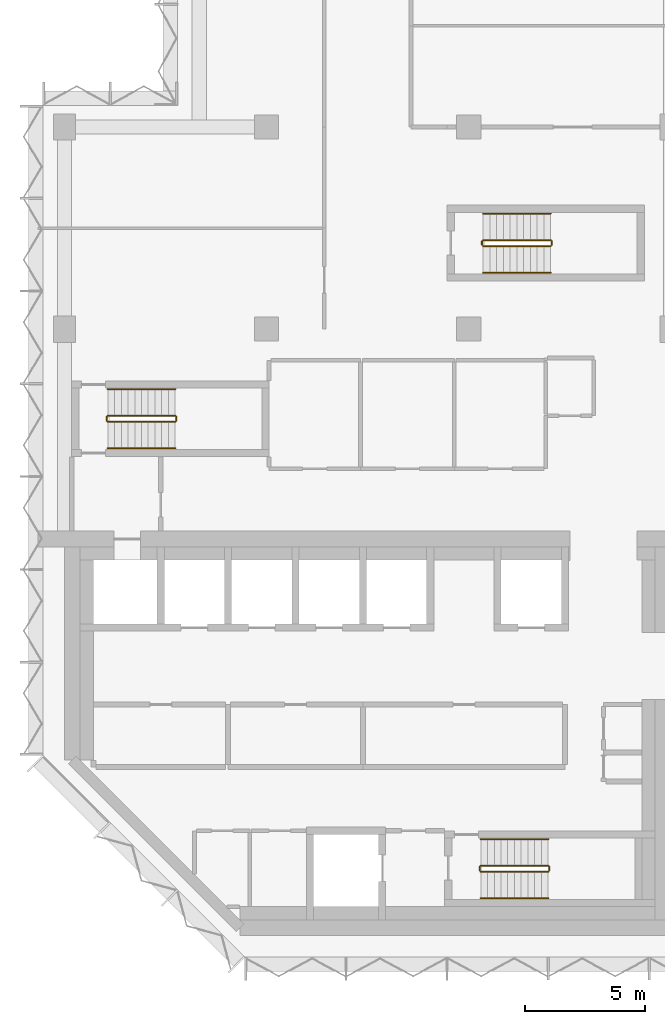
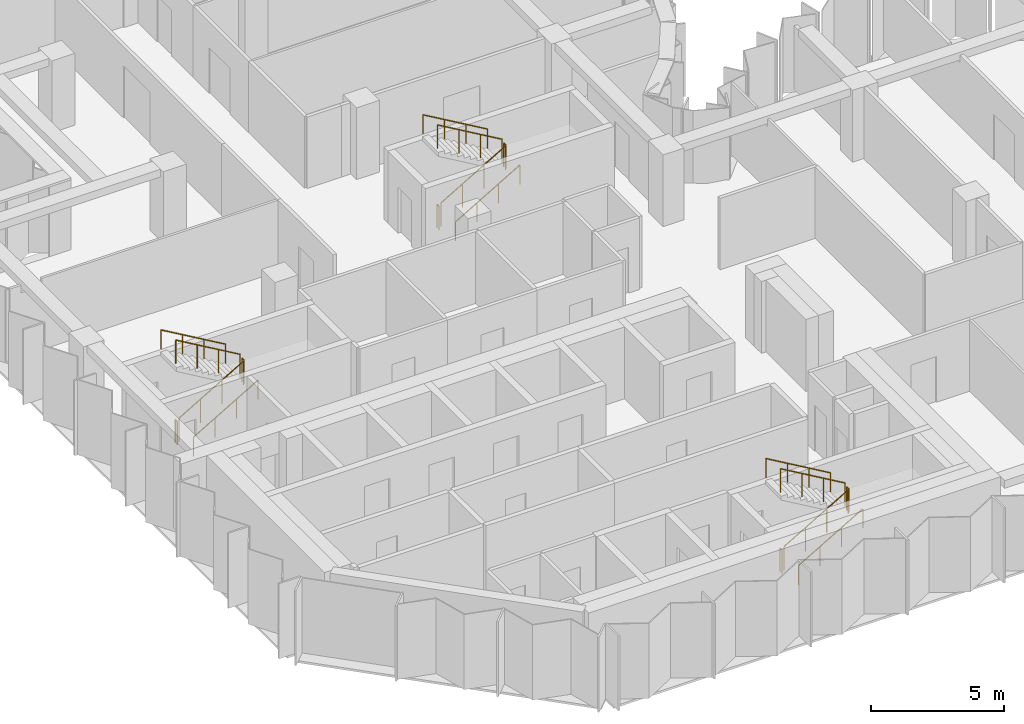
# One storey, part 9 of 10: 18 railings.
"""IFC4 building model written with IfcOpenShell, lengths in metres."""

from ifc_helpers import new_model, si_unit, direction, frame, origin, origin_2d, place, context, subcontext, project, spatial, circle, extrude, material, type_object, element, save


model = new_model("IFC4")

# Units and contexts
model_context = context("Model", 3, precision=1e-05, world=origin(), true_north=direction((0.0, 1.0)))
body_context = subcontext(model_context, "Body", "Model", "MODEL_VIEW")
ifc_project = project(units=[si_unit("LENGTHUNIT", "METRE"), si_unit("AREAUNIT", "SQUARE_METRE"), si_unit("VOLUMEUNIT", "CUBIC_METRE"), si_unit("PLANEANGLEUNIT", "RADIAN"), si_unit("MASSUNIT", "GRAM", prefix="KILO")], contexts=[model_context])

# Site, building, storey
site_placement = place(None, origin())
site = spatial("IfcSite", under=ifc_project, at=site_placement, CompositionType="ELEMENT")
building_placement = place(site_placement, origin())
building = spatial("IfcBuilding", under=site, at=building_placement, Name="Brevane Broadcast Tower", CompositionType="ELEMENT")
storey_placement = place(building_placement, frame((0.0, 0.0, 202.800048828125)))
storey = spatial("IfcBuildingStorey", under=building, at=storey_placement, Name="L51", CompositionType="ELEMENT", Elevation=202.800048828125)

# Railings
ifc_material = material(Name="Steel S355", Category="steel")
railing_type_1 = type_object("IfcRailingType", Name="Exit stair guard", PredefinedType="GUARDRAIL", material=ifc_material)
railing_1_placement = place(storey_placement, frame((1.800048828125, 21.35009765625, 0.16357421875)))
element("IfcRailing", 1, at=railing_1_placement, inside=storey, type_object=railing_type_1, Name="L51 ST-1 stair guard 1", PredefinedType="GUARDRAIL", context=body_context, shape_type="SweptSolid", body=[
    extrude(circle(Radius=0.02392578125, at=origin_2d()), frame((0.0, 0.0, 1.076171875), z_axis=(0.863360870873, 0.0, 0.504586966384), x_axis=(0.0, 1.0, 0.0)), (0.0, 0.0, 1.0), 3.2431640625),
    extrude(circle(Radius=0.02099609375, at=origin_2d()), origin(), (0.0, 0.0, 1.0), 1.052001953125),
    extrude(circle(Radius=0.02099609375, at=origin_2d()), frame((0.933349609375, 0.0, 0.54541015625)), (0.0, 0.0, 1.0), 1.052001953125),
    extrude(circle(Radius=0.02099609375, at=origin_2d()), frame((1.86669921875, 0.0, 1.091064453125)), (0.0, 0.0, 1.0), 1.052001953125),
    extrude(circle(Radius=0.02099609375, at=origin_2d()), frame((2.800048828125, 0.0, 1.636474609375)), (0.0, 0.0, 1.0), 1.052001953125),
])
railing_2_placement = place(storey_placement, frame((4.64990234375, 21.39990234375, 1.800048828125)))
element("IfcRailing", 2, at=railing_2_placement, inside=storey, type_object=railing_type_1, Name="L51 ST-1 stair guard 2", PredefinedType="GUARDRAIL", context=body_context, shape_type="SweptSolid", body=[
    extrude(circle(Radius=0.02392578125, at=origin_2d()), frame((0.0, 0.0, 1.076171875), z_axis=(0.0, 1.0, 0.0), x_axis=(-1.0, 0.0, 0.0)), (0.0, 0.0, 1.0), 0.150146484375),
    extrude(circle(Radius=0.02099609375, at=origin_2d()), origin(), (0.0, 0.0, 1.0), 1.052001953125),
    extrude(circle(Radius=0.02099609375, at=origin_2d()), frame((0.0, 0.150146484375, 0.0)), (0.0, 0.0, 1.0), 1.052001953125),
])
railing_3_placement = place(storey_placement, frame((4.60009765625, 21.60009765625, 1.963623046875)))
element("IfcRailing", 3, at=railing_3_placement, inside=storey, type_object=railing_type_1, Name="L51 ST-1 stair guard 3", PredefinedType="GUARDRAIL", context=body_context, shape_type="SweptSolid", body=[
    extrude(circle(Radius=0.02392578125, at=origin_2d()), frame((0.0, 0.0, 1.076171875), z_axis=(-0.863393664356, 0.0, 0.504530851732), x_axis=(0.0, -1.0, 0.0)), (0.0, 0.0, 1.0), 3.2431640625),
    extrude(circle(Radius=0.02099609375, at=origin_2d()), origin(), (0.0, 0.0, 1.0), 1.052001953125),
    extrude(circle(Radius=0.02099609375, at=origin_2d()), frame((-0.933349609375, 0.0, 0.54541015625)), (0.0, 0.0, 1.0), 1.052001953125),
    extrude(circle(Radius=0.02099609375, at=origin_2d()), frame((-1.86669921875, 0.0, 1.0908203125)), (0.0, 0.0, 1.0), 1.052001953125),
    extrude(circle(Radius=0.02099609375, at=origin_2d()), frame((-2.800048828125, 0.0, 1.63623046875)), (0.0, 0.0, 1.0), 1.052001953125),
])
railing_4_placement = place(storey_placement, frame((1.75, 21.39990234375, 0.0)))
element("IfcRailing", 4, at=railing_4_placement, inside=storey, type_object=railing_type_1, Name="L51 ST-1 stair guard 4", PredefinedType="GUARDRAIL", context=body_context, shape_type="SweptSolid", body=[
    extrude(circle(Radius=0.02392578125, at=origin_2d()), frame((0.0, 0.0, 1.076171875), z_axis=(0.0, 1.0, 0.0), x_axis=(-1.0, 0.0, 0.0)), (0.0, 0.0, 1.0), 0.150146484375),
    extrude(circle(Radius=0.02099609375, at=origin_2d()), origin(), (0.0, 0.0, 1.0), 1.052001953125),
    extrude(circle(Radius=0.02099609375, at=origin_2d()), frame((0.0, 0.150146484375, 0.0)), (0.0, 0.0, 1.0), 1.052001953125),
])
railing_5_placement = place(storey_placement, frame((17.300048828125, 2.64990234375, 0.16357421875)))
element("IfcRailing", 5, at=railing_5_placement, inside=storey, type_object=railing_type_1, Name="L51 ST-2 stair guard 1", PredefinedType="GUARDRAIL", context=body_context, shape_type="SweptSolid", body=[
    extrude(circle(Radius=0.02392578125, at=origin_2d()), frame((0.0, 0.0, 1.076171875), z_axis=(0.863360870873, 0.0, 0.504586966384), x_axis=(0.0, 1.0, 0.0)), (0.0, 0.0, 1.0), 3.2431640625),
    extrude(circle(Radius=0.02099609375, at=origin_2d()), origin(), (0.0, 0.0, 1.0), 1.052001953125),
    extrude(circle(Radius=0.02099609375, at=origin_2d()), frame((0.933349609375, 0.0, 0.54541015625)), (0.0, 0.0, 1.0), 1.052001953125),
    extrude(circle(Radius=0.02099609375, at=origin_2d()), frame((1.86669921875, 0.0, 1.091064453125)), (0.0, 0.0, 1.0), 1.052001953125),
    extrude(circle(Radius=0.02099609375, at=origin_2d()), frame((2.800048828125, 0.0, 1.636474609375)), (0.0, 0.0, 1.0), 1.052001953125),
])
railing_6_placement = place(storey_placement, frame((20.14990234375, 2.699951171875, 1.800048828125)))
element("IfcRailing", 6, at=railing_6_placement, inside=storey, type_object=railing_type_1, Name="L51 ST-2 stair guard 2", PredefinedType="GUARDRAIL", context=body_context, shape_type="SweptSolid", body=[
    extrude(circle(Radius=0.02392578125, at=origin_2d()), frame((0.0, 0.0, 1.076171875), z_axis=(0.0, 1.0, 0.0), x_axis=(-1.0, 0.0, 0.0)), (0.0, 0.0, 1.0), 0.150146484375),
    extrude(circle(Radius=0.02099609375, at=origin_2d()), origin(), (0.0, 0.0, 1.0), 1.052001953125),
    extrude(circle(Radius=0.02099609375, at=origin_2d()), frame((0.0, 0.150146484375, 0.0)), (0.0, 0.0, 1.0), 1.052001953125),
])
railing_7_placement = place(storey_placement, frame((20.10009765625, 2.89990234375, 1.963623046875)))
element("IfcRailing", 7, at=railing_7_placement, inside=storey, type_object=railing_type_1, Name="L51 ST-2 stair guard 3", PredefinedType="GUARDRAIL", context=body_context, shape_type="SweptSolid", body=[
    extrude(circle(Radius=0.02392578125, at=origin_2d()), frame((0.0, 0.0, 1.076171875), z_axis=(-0.863393664356, 0.0, 0.504530851732), x_axis=(0.0, -1.0, 0.0)), (0.0, 0.0, 1.0), 3.2431640625),
    extrude(circle(Radius=0.02099609375, at=origin_2d()), origin(), (0.0, 0.0, 1.0), 1.052001953125),
    extrude(circle(Radius=0.02099609375, at=origin_2d()), frame((-0.933349609375, 0.0, 0.54541015625)), (0.0, 0.0, 1.0), 1.052001953125),
    extrude(circle(Radius=0.02099609375, at=origin_2d()), frame((-1.86669921875, 0.0, 1.0908203125)), (0.0, 0.0, 1.0), 1.052001953125),
    extrude(circle(Radius=0.02099609375, at=origin_2d()), frame((-2.800048828125, 0.0, 1.63623046875)), (0.0, 0.0, 1.0), 1.052001953125),
])
railing_8_placement = place(storey_placement, frame((17.25, 2.699951171875, 0.0)))
element("IfcRailing", 8, at=railing_8_placement, inside=storey, type_object=railing_type_1, Name="L51 ST-2 stair guard 4", PredefinedType="GUARDRAIL", context=body_context, shape_type="SweptSolid", body=[
    extrude(circle(Radius=0.02392578125, at=origin_2d()), frame((0.0, 0.0, 1.076171875), z_axis=(0.0, 1.0, 0.0), x_axis=(-1.0, 0.0, 0.0)), (0.0, 0.0, 1.0), 0.150146484375),
    extrude(circle(Radius=0.02099609375, at=origin_2d()), origin(), (0.0, 0.0, 1.0), 1.052001953125),
    extrude(circle(Radius=0.02099609375, at=origin_2d()), frame((0.0, 0.150146484375, 0.0)), (0.0, 0.0, 1.0), 1.052001953125),
])
railing_9_placement = place(storey_placement, frame((17.39990234375, 28.64990234375, 0.16357421875)))
element("IfcRailing", 9, at=railing_9_placement, inside=storey, type_object=railing_type_1, Name="L51 ST-3 stair guard 1", PredefinedType="GUARDRAIL", context=body_context, shape_type="SweptSolid", body=[
    extrude(circle(Radius=0.02392578125, at=origin_2d()), frame((0.0, 0.0, 1.076171875), z_axis=(0.863360870873, 0.0, 0.504586966384), x_axis=(0.0, 1.0, 0.0)), (0.0, 0.0, 1.0), 3.2431640625),
    extrude(circle(Radius=0.02099609375, at=origin_2d()), origin(), (0.0, 0.0, 1.0), 1.052001953125),
    extrude(circle(Radius=0.02099609375, at=origin_2d()), frame((0.933349609375, 0.0, 0.54541015625)), (0.0, 0.0, 1.0), 1.052001953125),
    extrude(circle(Radius=0.02099609375, at=origin_2d()), frame((1.86669921875, 0.0, 1.091064453125)), (0.0, 0.0, 1.0), 1.052001953125),
    extrude(circle(Radius=0.02099609375, at=origin_2d()), frame((2.800048828125, 0.0, 1.636474609375)), (0.0, 0.0, 1.0), 1.052001953125),
])
railing_10_placement = place(storey_placement, frame((20.25, 28.699951171875, 1.800048828125)))
element("IfcRailing", 10, at=railing_10_placement, inside=storey, type_object=railing_type_1, Name="L51 ST-3 stair guard 2", PredefinedType="GUARDRAIL", context=body_context, shape_type="SweptSolid", body=[
    extrude(circle(Radius=0.02392578125, at=origin_2d()), frame((0.0, 0.0, 1.076171875), z_axis=(0.0, 1.0, 0.0), x_axis=(-1.0, 0.0, 0.0)), (0.0, 0.0, 1.0), 0.150146484375),
    extrude(circle(Radius=0.02099609375, at=origin_2d()), origin(), (0.0, 0.0, 1.0), 1.052001953125),
    extrude(circle(Radius=0.02099609375, at=origin_2d()), frame((0.0, 0.150146484375, 0.0)), (0.0, 0.0, 1.0), 1.052001953125),
])
railing_11_placement = place(storey_placement, frame((20.199951171875, 28.89990234375, 1.963623046875)))
element("IfcRailing", 11, at=railing_11_placement, inside=storey, type_object=railing_type_1, Name="L51 ST-3 stair guard 3", PredefinedType="GUARDRAIL", context=body_context, shape_type="SweptSolid", body=[
    extrude(circle(Radius=0.02392578125, at=origin_2d()), frame((0.0, 0.0, 1.076171875), z_axis=(-0.863393664356, 0.0, 0.504530851732), x_axis=(0.0, -1.0, 0.0)), (0.0, 0.0, 1.0), 3.2431640625),
    extrude(circle(Radius=0.02099609375, at=origin_2d()), origin(), (0.0, 0.0, 1.0), 1.052001953125),
    extrude(circle(Radius=0.02099609375, at=origin_2d()), frame((-0.933349609375, 0.0, 0.54541015625)), (0.0, 0.0, 1.0), 1.052001953125),
    extrude(circle(Radius=0.02099609375, at=origin_2d()), frame((-1.86669921875, 0.0, 1.0908203125)), (0.0, 0.0, 1.0), 1.052001953125),
    extrude(circle(Radius=0.02099609375, at=origin_2d()), frame((-2.800048828125, 0.0, 1.63623046875)), (0.0, 0.0, 1.0), 1.052001953125),
])
railing_12_placement = place(storey_placement, frame((17.35009765625, 28.699951171875, 0.0)))
element("IfcRailing", 12, at=railing_12_placement, inside=storey, type_object=railing_type_1, Name="L51 ST-3 stair guard 4", PredefinedType="GUARDRAIL", context=body_context, shape_type="SweptSolid", body=[
    extrude(circle(Radius=0.02392578125, at=origin_2d()), frame((0.0, 0.0, 1.076171875), z_axis=(0.0, 1.0, 0.0), x_axis=(-1.0, 0.0, 0.0)), (0.0, 0.0, 1.0), 0.150146484375),
    extrude(circle(Radius=0.02099609375, at=origin_2d()), origin(), (0.0, 0.0, 1.0), 1.052001953125),
    extrude(circle(Radius=0.02099609375, at=origin_2d()), frame((0.0, 0.150146484375, 0.0)), (0.0, 0.0, 1.0), 1.052001953125),
])
railing_type_2 = type_object("IfcRailingType", Name="Exit stair handrail", PredefinedType="HANDRAIL", material=ifc_material)
railing_13_placement = place(storey_placement, frame((1.800048828125, 20.25, 0.16357421875)))
element("IfcRailing", 13, at=railing_13_placement, inside=storey, type_object=railing_type_2, Name="L51 ST-1 stair handrail 1", PredefinedType="HANDRAIL", context=body_context, shape_type="SweptSolid", body=[
    extrude(circle(Radius=0.02392578125, at=origin_2d()), frame((0.0, 0.0, 0.8759765625), z_axis=(0.863360870873, 0.0, 0.504586966384), x_axis=(0.0, 1.0, 0.0)), (0.0, 0.0, 1.0), 3.2431640625),
    extrude(circle(Radius=0.02099609375, at=origin_2d()), origin(), (0.0, 0.0, 1.0), 0.851806640625),
    extrude(circle(Radius=0.02099609375, at=origin_2d()), frame((0.933349609375, 0.0, 0.54541015625)), (0.0, 0.0, 1.0), 0.851806640625),
    extrude(circle(Radius=0.02099609375, at=origin_2d()), frame((1.86669921875, 0.0, 1.091064453125)), (0.0, 0.0, 1.0), 0.851806640625),
    extrude(circle(Radius=0.02099609375, at=origin_2d()), frame((2.800048828125, 0.0, 1.636474609375)), (0.0, 0.0, 1.0), 0.851806640625),
])
railing_14_placement = place(storey_placement, frame((4.60009765625, 22.699951171875, 1.963623046875)))
element("IfcRailing", 14, at=railing_14_placement, inside=storey, type_object=railing_type_2, Name="L51 ST-1 stair handrail 2", PredefinedType="HANDRAIL", context=body_context, shape_type="SweptSolid", body=[
    extrude(circle(Radius=0.02392578125, at=origin_2d()), frame((0.0, 0.0, 0.8759765625), z_axis=(-0.863393664356, 0.0, 0.504530851732), x_axis=(0.0, -1.0, 0.0)), (0.0, 0.0, 1.0), 3.2431640625),
    extrude(circle(Radius=0.02099609375, at=origin_2d()), origin(), (0.0, 0.0, 1.0), 0.851806640625),
    extrude(circle(Radius=0.02099609375, at=origin_2d()), frame((-0.933349609375, 0.0, 0.54541015625)), (0.0, 0.0, 1.0), 0.851806640625),
    extrude(circle(Radius=0.02099609375, at=origin_2d()), frame((-1.86669921875, 0.0, 1.0908203125)), (0.0, 0.0, 1.0), 0.851806640625),
    extrude(circle(Radius=0.02099609375, at=origin_2d()), frame((-2.800048828125, 0.0, 1.63623046875)), (0.0, 0.0, 1.0), 0.851806640625),
])
railing_15_placement = place(storey_placement, frame((17.300048828125, 1.550048828125, 0.16357421875)))
element("IfcRailing", 15, at=railing_15_placement, inside=storey, type_object=railing_type_2, Name="L51 ST-2 stair handrail 1", PredefinedType="HANDRAIL", context=body_context, shape_type="SweptSolid", body=[
    extrude(circle(Radius=0.02392578125, at=origin_2d()), frame((0.0, 0.0, 0.8759765625), z_axis=(0.863360870873, 0.0, 0.504586966384), x_axis=(0.0, 1.0, 0.0)), (0.0, 0.0, 1.0), 3.2431640625),
    extrude(circle(Radius=0.02099609375, at=origin_2d()), origin(), (0.0, 0.0, 1.0), 0.851806640625),
    extrude(circle(Radius=0.02099609375, at=origin_2d()), frame((0.933349609375, 0.0, 0.54541015625)), (0.0, 0.0, 1.0), 0.851806640625),
    extrude(circle(Radius=0.02099609375, at=origin_2d()), frame((1.86669921875, 0.0, 1.091064453125)), (0.0, 0.0, 1.0), 0.851806640625),
    extrude(circle(Radius=0.02099609375, at=origin_2d()), frame((2.800048828125, 0.0, 1.636474609375)), (0.0, 0.0, 1.0), 0.851806640625),
])
railing_16_placement = place(storey_placement, frame((20.10009765625, 4.0, 1.963623046875)))
element("IfcRailing", 16, at=railing_16_placement, inside=storey, type_object=railing_type_2, Name="L51 ST-2 stair handrail 2", PredefinedType="HANDRAIL", context=body_context, shape_type="SweptSolid", body=[
    extrude(circle(Radius=0.02392578125, at=origin_2d()), frame((0.0, 0.0, 0.8759765625), z_axis=(-0.863393664356, 0.0, 0.504530851732), x_axis=(0.0, -1.0, 0.0)), (0.0, 0.0, 1.0), 3.2431640625),
    extrude(circle(Radius=0.02099609375, at=origin_2d()), origin(), (0.0, 0.0, 1.0), 0.851806640625),
    extrude(circle(Radius=0.02099609375, at=origin_2d()), frame((-0.933349609375, 0.0, 0.54541015625)), (0.0, 0.0, 1.0), 0.851806640625),
    extrude(circle(Radius=0.02099609375, at=origin_2d()), frame((-1.86669921875, 0.0, 1.0908203125)), (0.0, 0.0, 1.0), 0.851806640625),
    extrude(circle(Radius=0.02099609375, at=origin_2d()), frame((-2.800048828125, 0.0, 1.63623046875)), (0.0, 0.0, 1.0), 0.851806640625),
])
railing_17_placement = place(storey_placement, frame((17.39990234375, 27.550048828125, 0.16357421875)))
element("IfcRailing", 17, at=railing_17_placement, inside=storey, type_object=railing_type_2, Name="L51 ST-3 stair handrail 1", PredefinedType="HANDRAIL", context=body_context, shape_type="SweptSolid", body=[
    extrude(circle(Radius=0.02392578125, at=origin_2d()), frame((0.0, 0.0, 0.8759765625), z_axis=(0.863360870873, 0.0, 0.504586966384), x_axis=(0.0, 1.0, 0.0)), (0.0, 0.0, 1.0), 3.2431640625),
    extrude(circle(Radius=0.02099609375, at=origin_2d()), origin(), (0.0, 0.0, 1.0), 0.851806640625),
    extrude(circle(Radius=0.02099609375, at=origin_2d()), frame((0.933349609375, 0.0, 0.54541015625)), (0.0, 0.0, 1.0), 0.851806640625),
    extrude(circle(Radius=0.02099609375, at=origin_2d()), frame((1.86669921875, 0.0, 1.091064453125)), (0.0, 0.0, 1.0), 0.851806640625),
    extrude(circle(Radius=0.02099609375, at=origin_2d()), frame((2.800048828125, 0.0, 1.636474609375)), (0.0, 0.0, 1.0), 0.851806640625),
])
railing_18_placement = place(storey_placement, frame((20.199951171875, 30.0, 1.963623046875)))
element("IfcRailing", 18, at=railing_18_placement, inside=storey, type_object=railing_type_2, Name="L51 ST-3 stair handrail 2", PredefinedType="HANDRAIL", context=body_context, shape_type="SweptSolid", body=[
    extrude(circle(Radius=0.02392578125, at=origin_2d()), frame((0.0, 0.0, 0.8759765625), z_axis=(-0.863393664356, 0.0, 0.504530851732), x_axis=(0.0, -1.0, 0.0)), (0.0, 0.0, 1.0), 3.2431640625),
    extrude(circle(Radius=0.02099609375, at=origin_2d()), origin(), (0.0, 0.0, 1.0), 0.851806640625),
    extrude(circle(Radius=0.02099609375, at=origin_2d()), frame((-0.933349609375, 0.0, 0.54541015625)), (0.0, 0.0, 1.0), 0.851806640625),
    extrude(circle(Radius=0.02099609375, at=origin_2d()), frame((-1.86669921875, 0.0, 1.0908203125)), (0.0, 0.0, 1.0), 0.851806640625),
    extrude(circle(Radius=0.02099609375, at=origin_2d()), frame((-2.800048828125, 0.0, 1.63623046875)), (0.0, 0.0, 1.0), 0.851806640625),
])

save(model, "model.ifc")
